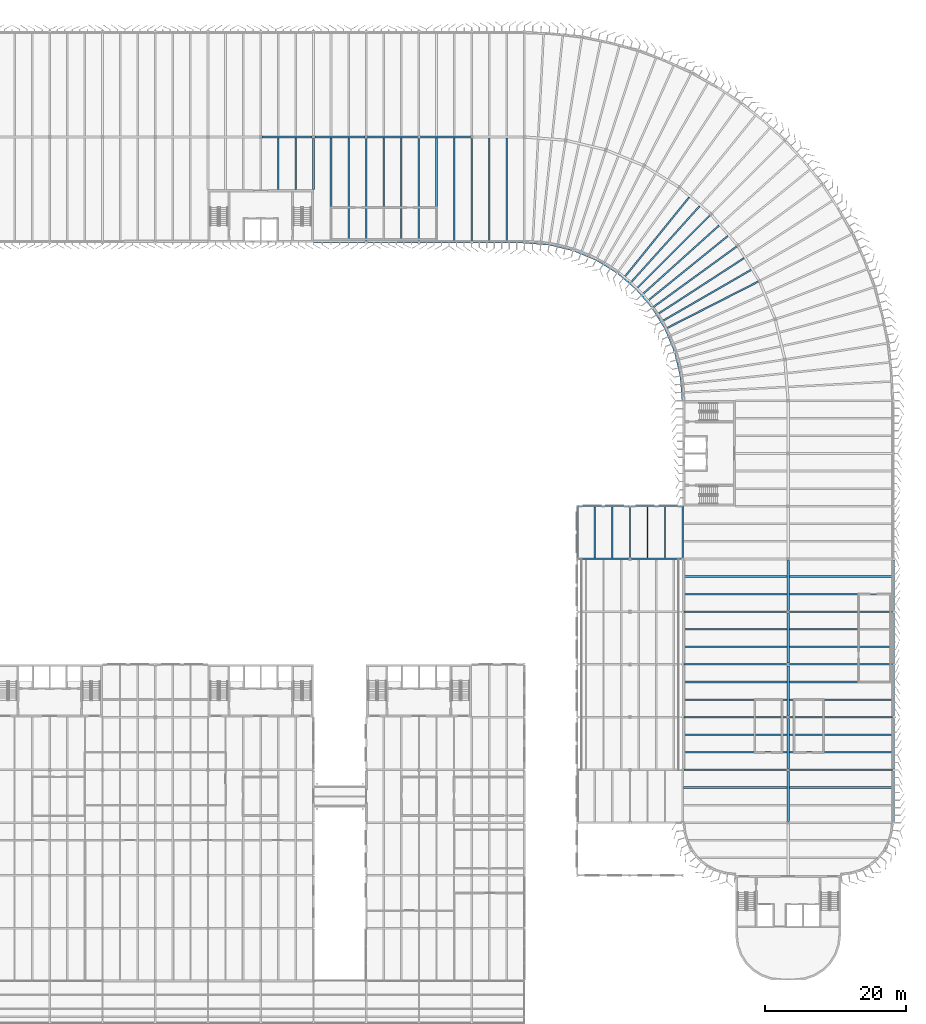
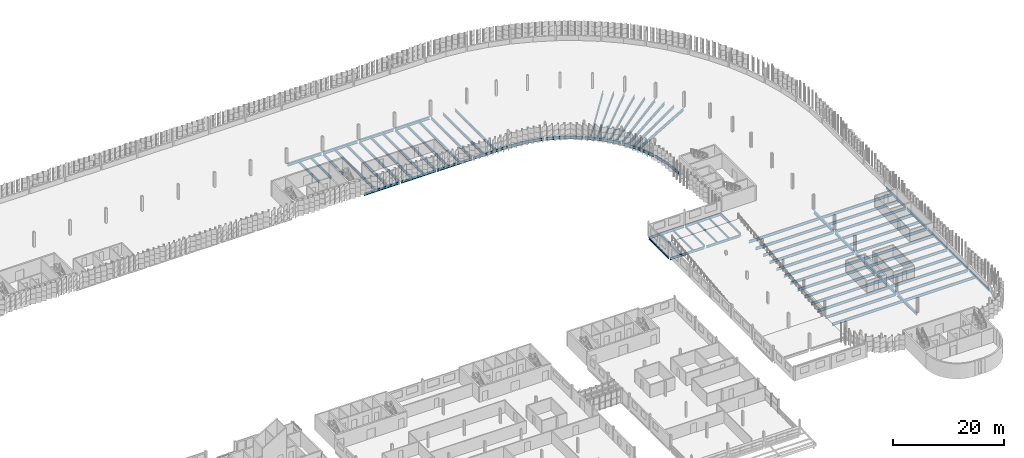
# One storey, part 53 of 214: 88 beams.
"""IFC4 building model written with IfcOpenShell, lengths in metres."""

from ifc_helpers import new_model, si_unit, direction, frame, origin, origin_2d, place, context, subcontext, project, spatial, i_section, extrude, material, material_profile, profile_set, type_object, element, save


model = new_model("IFC4")

# Units and contexts
model_context = context("Model", 3, precision=1e-05, world=origin(), true_north=direction((0.0, 1.0)))
body_context = subcontext(model_context, "Body", "Model", "MODEL_VIEW")
ifc_project = project(units=[si_unit("LENGTHUNIT", "METRE"), si_unit("AREAUNIT", "SQUARE_METRE"), si_unit("VOLUMEUNIT", "CUBIC_METRE"), si_unit("PLANEANGLEUNIT", "RADIAN"), si_unit("MASSUNIT", "GRAM", prefix="KILO")], contexts=[model_context])

# Site, building, storey
site_placement = place(None, origin())
site = spatial("IfcSite", under=ifc_project, at=site_placement, CompositionType="ELEMENT")
building_placement = place(site_placement, origin())
building = spatial("IfcBuilding", under=site, at=building_placement, Name="Parallax Yard Mobility Hub", CompositionType="ELEMENT")
storey_placement = place(building_placement, frame((0.0, 0.0, 3.300048828125)))
storey = spatial("IfcBuildingStorey", under=building, at=storey_placement, Name="L01", CompositionType="ELEMENT", Elevation=3.300048828125)

# Beams
ifc_material = material(Name="Steel ASTM A992", Category="steel")
ifc_material_profile_1 = material_profile(ifc_material, i_section(OverallWidth=0.177978515625, OverallDepth=0.406005859375, WebThickness=0.0078125, FlangeThickness=0.0126953125, FilletRadius=0.01025390625, at=origin_2d()), Name="W410x60")
ifc_profile_set_1 = profile_set([ifc_material_profile_1], Name="Steel ASTM A992")
beam_type_1 = type_object("IfcBeamType", Name="W410x60 edge beam", PredefinedType="SPANDREL", material=ifc_profile_set_1)
beam_1_placement = place(storey_placement, frame((180.0, 67.653564453125, -0.343017578125), z_axis=(0.0, 1.0, 0.0), x_axis=(-1.0, 0.0, 0.0)))
element("IfcBeam", 1, at=beam_1_placement, inside=storey, type_object=beam_type_1, Name="Edge beam SB1 level L01, line 25 of ramp house, span 2", PredefinedType="SPANDREL", context=body_context, shape_type="SweptSolid", body=[
    extrude(i_section(OverallWidth=0.177978515625, OverallDepth=0.406005859375, WebThickness=0.0078125, FlangeThickness=0.0126953125, FilletRadius=0.01025390625, at=origin_2d()), origin(), (0.0, 0.0, 1.0), 7.19287109375),
])
ifc_material_profile_2 = material_profile(ifc_material, i_section(OverallWidth=0.177978515625, OverallDepth=0.406005859375, WebThickness=0.0078125, FlangeThickness=0.0126953125, FilletRadius=0.01025390625, at=origin_2d()), Name="W410x60")
ifc_profile_set_2 = profile_set([ifc_material_profile_2], Name="Steel ASTM A992")
beam_type_2 = type_object("IfcBeamType", Name="W410x60 longitudinal beam", PredefinedType="BEAM", material=ifc_profile_set_2)
beam_2_placement = place(storey_placement, frame((187.5, 67.68798828125, -0.343017578125), z_axis=(0.0, 1.0, 0.0), x_axis=(-1.0, 0.0, 0.0)))
element("IfcBeam", 2, at=beam_2_placement, inside=storey, type_object=beam_type_2, Name="Longitudinal beam SB2 level L01, line 26 of ramp house, span 2", PredefinedType="BEAM", context=body_context, shape_type="SweptSolid", body=[
    extrude(i_section(OverallWidth=0.177978515625, OverallDepth=0.406005859375, WebThickness=0.0078125, FlangeThickness=0.0126953125, FilletRadius=0.01025390625, at=origin_2d()), origin(), (0.0, 0.0, 1.0), 7.156005859375),
])
ifc_material_profile_3 = material_profile(ifc_material, i_section(OverallWidth=0.177978515625, OverallDepth=0.406005859375, WebThickness=0.0078125, FlangeThickness=0.0126953125, FilletRadius=0.01025390625, at=origin_2d()), Name="W410x60")
ifc_profile_set_3 = profile_set([ifc_material_profile_3], Name="Steel ASTM A992")
beam_type_3 = type_object("IfcBeamType", Name="W410x60 secondary beam", PredefinedType="JOIST", material=ifc_profile_set_3)
for number, where, z_axis, x_axis, name in (
    (3, (182.5, 67.6044921875, -0.343017578125), (0.0, 1.0, 0.0), (-1.0, 0.0, 0.0), "Secondary beam B1 level L01, 2.5 m east of line 25 of ramp house, span 2"),
    (4, (190.0, 67.6044921875, -0.343017578125), (0.0, 1.0, 0.0), (-1.0, 0.0, 0.0), "Secondary beam B1 level L01, 2.5 m east of line 26 of ramp house, span 2"),
    (5, (185.0, 67.6044921875, -0.343017578125), (0.0, 1.0, 0.0), (-1.0, 0.0, 0.0), "Secondary beam B1 level L01, 5 m east of line 25 of ramp house, span 2"),
    (6, (192.5, 67.6044921875, -0.343017578125), (0.0, 1.0, 0.0), (-1.0, 0.0, 0.0), "Secondary beam B1 level L01, 5 m east of line 26 of ramp house, span 2"),
):
    element("IfcBeam", number, at=place(storey_placement, frame(where, z_axis=z_axis, x_axis=x_axis)), inside=storey, type_object=beam_type_3, Name=name, PredefinedType="JOIST", context=body_context, shape_type="SweptSolid", body=[
        extrude(i_section(OverallWidth=0.177978515625, OverallDepth=0.406005859375, WebThickness=0.0078125, FlangeThickness=0.0126953125, FilletRadius=0.01025390625, at=origin_2d()), origin(), (0.0, 0.0, 1.0), 7.291015625),
    ])
ifc_material_profile_4 = material_profile(ifc_material, i_section(OverallWidth=0.208984375, OverallDepth=0.532958984375, WebThickness=0.01025390625, FlangeThickness=0.015625, FilletRadius=0.0126953125, at=origin_2d()), Name="W530x92")
ifc_profile_set_4 = profile_set([ifc_material_profile_4], Name="Steel ASTM A992")
beam_type_4 = type_object("IfcBeamType", Name="W530x92 edge beam", PredefinedType="SPANDREL", material=ifc_profile_set_4)
beam_3_placement = place(storey_placement, frame((195.0, 67.697021484375, -0.406494140625), z_axis=(0.0, 1.0, 0.0), x_axis=(-1.0, 0.0, 0.0)))
element("IfcBeam", 7, at=beam_3_placement, inside=storey, type_object=beam_type_4, Name="Edge beam SB5 level L01, line 27 of ramped parking decks, span 6", PredefinedType="SPANDREL", context=body_context, shape_type="SweptSolid", body=[
    extrude(i_section(OverallWidth=0.208984375, OverallDepth=0.532958984375, WebThickness=0.01025390625, FlangeThickness=0.015625, FilletRadius=0.0126953125, at=origin_2d()), origin(), (0.0, 0.0, 1.0), 7.302978515625),
])
beam_4_placement = place(storey_placement, frame((225.0, 30.155029296875, -0.406494140625), z_axis=(0.0, 1.0, 0.0), x_axis=(-1.0, 0.0, 0.0)))
element("IfcBeam", 8, at=beam_4_placement, inside=storey, type_object=beam_type_4, Name="Edge beam SB5 level L01, line 31 of ramped parking decks, span 1", PredefinedType="SPANDREL", context=body_context, shape_type="SweptSolid", body=[
    extrude(i_section(OverallWidth=0.208984375, OverallDepth=0.532958984375, WebThickness=0.01025390625, FlangeThickness=0.015625, FilletRadius=0.0126953125, at=origin_2d()), origin(), (0.0, 0.0, 1.0), 7.19140625),
])
for number, where, z_axis, x_axis, name in (
    (9, (225.0, 37.653564453125, -0.406494140625), (0.0, 1.0, 0.0), (-1.0, 0.0, 0.0), "Edge beam SB5 level L01, line 31 of ramped parking decks, span 2"),
    (10, (225.0, 45.153564453125, -0.406494140625), (0.0, 1.0, 0.0), (-1.0, 0.0, 0.0), "Edge beam SB5 level L01, line 31 of ramped parking decks, span 3"),
    (11, (225.0, 52.653564453125, -0.406494140625), (0.0, 1.0, 0.0), (-1.0, 0.0, 0.0), "Edge beam SB5 level L01, line 31 of ramped parking decks, span 4"),
    (12, (225.0, 60.153564453125, -0.406494140625), (0.0, 1.0, 0.0), (-1.0, 0.0, 0.0), "Edge beam SB5 level L01, line 31 of ramped parking decks, span 5"),
):
    element("IfcBeam", number, at=place(storey_placement, frame(where, z_axis=z_axis, x_axis=x_axis)), inside=storey, type_object=beam_type_4, Name=name, PredefinedType="SPANDREL", context=body_context, shape_type="SweptSolid", body=[
        extrude(i_section(OverallWidth=0.208984375, OverallDepth=0.532958984375, WebThickness=0.01025390625, FlangeThickness=0.015625, FilletRadius=0.0126953125, at=origin_2d()), origin(), (0.0, 0.0, 1.0), 7.19287109375),
    ])
beam_5_placement = place(storey_placement, frame((142.5, 112.5, -0.406494140625), z_axis=(1.0, 0.0, 0.0), x_axis=(0.0, 1.0, 0.0)))
element("IfcBeam", 13, at=beam_5_placement, inside=storey, type_object=beam_type_4, Name="Edge beam SB5 level L01, line R of ramped parking decks, span 12", PredefinedType="SPANDREL", context=body_context, shape_type="SweptSolid", body=[
    extrude(i_section(OverallWidth=0.208984375, OverallDepth=0.532958984375, WebThickness=0.01025390625, FlangeThickness=0.015625, FilletRadius=0.0126953125, at=origin_2d()), origin(), (0.0, 0.0, 1.0), 7.302978515625),
])
beam_6_placement = place(storey_placement, frame((150.197021484375, 112.5, -0.406494140625), z_axis=(1.0, 0.0, 0.0), x_axis=(0.0, 1.0, 0.0)))
element("IfcBeam", 14, at=beam_6_placement, inside=storey, type_object=beam_type_4, Name="Edge beam SB5 level L01, line R of ramped parking decks, span 13", PredefinedType="SPANDREL", context=body_context, shape_type="SweptSolid", body=[
    extrude(i_section(OverallWidth=0.208984375, OverallDepth=0.532958984375, WebThickness=0.01025390625, FlangeThickness=0.015625, FilletRadius=0.0126953125, at=origin_2d()), origin(), (0.0, 0.0, 1.0), 7.1494140625),
])
for number, where, z_axis, x_axis, name in (
    (15, (157.653564453125, 112.5, -0.406494140625), (1.0, 0.0, 0.0), (0.0, 1.0, 0.0), "Edge beam SB5 level L01, line R of ramped parking decks, span 14"),
    (16, (165.153564453125, 112.5, -0.406494140625), (1.0, 0.0, 0.0), (0.0, 1.0, 0.0), "Edge beam SB5 level L01, line R of ramped parking decks, span 15"),
):
    element("IfcBeam", number, at=place(storey_placement, frame(where, z_axis=z_axis, x_axis=x_axis)), inside=storey, type_object=beam_type_4, Name=name, PredefinedType="SPANDREL", context=body_context, shape_type="SweptSolid", body=[
        extrude(i_section(OverallWidth=0.208984375, OverallDepth=0.532958984375, WebThickness=0.01025390625, FlangeThickness=0.015625, FilletRadius=0.0126953125, at=origin_2d()), origin(), (0.0, 0.0, 1.0), 7.19287109375),
    ])
ifc_material_profile_5 = material_profile(ifc_material, i_section(OverallWidth=0.208984375, OverallDepth=0.532958984375, WebThickness=0.01025390625, FlangeThickness=0.015625, FilletRadius=0.0126953125, at=origin_2d()), Name="W530x92")
ifc_profile_set_5 = profile_set([ifc_material_profile_5], Name="Steel ASTM A992")
beam_type_5 = type_object("IfcBeamType", Name="W530x92 girder", PredefinedType="BEAM", material=ifc_profile_set_5)
beam_7_placement = place(storey_placement, frame((180.152587890625, 67.5, -0.47802734375), z_axis=(1.0, 0.0, 0.0), x_axis=(0.0, 1.0, 0.0)))
element("IfcBeam", 17, at=beam_7_placement, inside=storey, type_object=beam_type_5, Name="Girder G2 level L01, line K of ramp house, span 1", PredefinedType="BEAM", context=body_context, shape_type="SweptSolid", body=[
    extrude(i_section(OverallWidth=0.208984375, OverallDepth=0.532958984375, WebThickness=0.01025390625, FlangeThickness=0.015625, FilletRadius=0.0126953125, at=origin_2d()), origin(), (0.0, 0.0, 1.0), 7.150390625),
])
beam_8_placement = place(storey_placement, frame((187.697021484375, 67.5, -0.47802734375), z_axis=(1.0, 0.0, 0.0), x_axis=(0.0, 1.0, 0.0)))
element("IfcBeam", 18, at=beam_8_placement, inside=storey, type_object=beam_type_5, Name="Girder G2 level L01, line K of ramp house, span 2", PredefinedType="BEAM", context=body_context, shape_type="SweptSolid", body=[
    extrude(i_section(OverallWidth=0.208984375, OverallDepth=0.532958984375, WebThickness=0.01025390625, FlangeThickness=0.015625, FilletRadius=0.0126953125, at=origin_2d()), origin(), (0.0, 0.0, 1.0), 7.114990234375),
])
beam_9_placement = place(storey_placement, frame((180.152587890625, 75.0, -0.406494140625), z_axis=(1.0, 0.0, 0.0), x_axis=(0.0, 1.0, 0.0)))
element("IfcBeam", 19, at=beam_9_placement, inside=storey, type_object=beam_type_5, Name="Girder G2 level L01, line L of ramp house, span 1", PredefinedType="BEAM", context=body_context, shape_type="SweptSolid", body=[
    extrude(i_section(OverallWidth=0.208984375, OverallDepth=0.532958984375, WebThickness=0.01025390625, FlangeThickness=0.015625, FilletRadius=0.0126953125, at=origin_2d()), origin(), (0.0, 0.0, 1.0), 7.19482421875),
])
beam_10_placement = place(storey_placement, frame((187.652587890625, 75.0, -0.406494140625), z_axis=(1.0, 0.0, 0.0), x_axis=(0.0, 1.0, 0.0)))
element("IfcBeam", 20, at=beam_10_placement, inside=storey, type_object=beam_type_5, Name="Girder G2 level L01, line L of ramp house, span 2", PredefinedType="BEAM", context=body_context, shape_type="SweptSolid", body=[
    extrude(i_section(OverallWidth=0.208984375, OverallDepth=0.532958984375, WebThickness=0.01025390625, FlangeThickness=0.015625, FilletRadius=0.0126953125, at=origin_2d()), origin(), (0.0, 0.0, 1.0), 7.347412109375),
])
ifc_material_profile_6 = material_profile(ifc_material, i_section(OverallWidth=0.22802734375, OverallDepth=0.60205078125, WebThickness=0.010498046875, FlangeThickness=0.014892578125, FilletRadius=0.0126953125, at=origin_2d()), Name="W610x101")
ifc_profile_set_6 = profile_set([ifc_material_profile_6], Name="Steel ASTM A992")
beam_type_6 = type_object("IfcBeamType", Name="W610x101 secondary beam", PredefinedType="JOIST", material=ifc_profile_set_6)
beam_11_placement = place(storey_placement, frame((137.5, 120.0, -0.441162109375), z_axis=(0.0, 1.0, 0.0), x_axis=(-1.0, 0.0, 0.0)))
element("IfcBeam", 21, at=beam_11_placement, inside=storey, type_object=beam_type_6, Name="Secondary beam B3 level L01, 2.5 m east of line 19 of ramped parking decks, span 1", PredefinedType="JOIST", context=body_context, shape_type="SweptSolid", body=[
    extrude(i_section(OverallWidth=0.22802734375, OverallDepth=0.60205078125, WebThickness=0.010498046875, FlangeThickness=0.014892578125, FilletRadius=0.0126953125, at=origin_2d()), origin(), (0.0, 0.0, 1.0), 7.33740234375),
])
for number, where, z_axis, x_axis, name in (
    (22, (145.0, 112.6044921875, -0.441162109375), (0.0, 1.0, 0.0), (-1.0, 0.0, 0.0), "Secondary beam B3 level L01, 2.5 m east of line 20 of ramped parking decks, span 1"),
    (23, (152.5, 112.6044921875, -0.441162109375), (0.0, 1.0, 0.0), (-1.0, 0.0, 0.0), "Secondary beam B3 level L01, 2.5 m east of line 21 of ramped parking decks, span 1"),
    (24, (160.0, 112.6044921875, -0.441162109375), (0.0, 1.0, 0.0), (-1.0, 0.0, 0.0), "Secondary beam B3 level L01, 2.5 m east of line 22 of ramped parking decks, span 1"),
    (25, (167.5, 112.6044921875, -0.441162109375), (0.0, 1.0, 0.0), (-1.0, 0.0, 0.0), "Secondary beam B3 level L01, 2.5 m east of line 23 of ramped parking decks, span 1"),
    (26, (195.1044921875, 40.0, -0.441162109375), (1.0, 0.0, 0.0), (0.0, 1.0, 0.0), "Secondary beam B3 level L01, 2.5 m north of line F of ramped parking decks, span 1"),
    (27, (210.16259765625, 40.0, -0.441162109375), (1.0, 0.0, 0.0), (0.0, 1.0, 0.0), "Secondary beam B3 level L01, 2.5 m north of line F of ramped parking decks, span 2"),
    (28, (195.1044921875, 47.5, -0.441162109375), (1.0, 0.0, 0.0), (0.0, 1.0, 0.0), "Secondary beam B3 level L01, 2.5 m north of line G of ramped parking decks, span 1"),
    (29, (210.16259765625, 47.5, -0.441162109375), (1.0, 0.0, 0.0), (0.0, 1.0, 0.0), "Secondary beam B3 level L01, 2.5 m north of line G of ramped parking decks, span 2"),
    (30, (195.1044921875, 55.0, -0.441162109375), (1.0, 0.0, 0.0), (0.0, 1.0, 0.0), "Secondary beam B3 level L01, 2.5 m north of line H of ramped parking decks, span 1"),
    (31, (210.16259765625, 55.0, -0.441162109375), (1.0, 0.0, 0.0), (0.0, 1.0, 0.0), "Secondary beam B3 level L01, 2.5 m north of line H of ramped parking decks, span 2"),
    (32, (195.1044921875, 62.5, -0.441162109375), (1.0, 0.0, 0.0), (0.0, 1.0, 0.0), "Secondary beam B3 level L01, 2.5 m north of line J of ramped parking decks, span 1"),
    (33, (210.16259765625, 62.5, -0.441162109375), (1.0, 0.0, 0.0), (0.0, 1.0, 0.0), "Secondary beam B3 level L01, 2.5 m north of line J of ramped parking decks, span 2"),
):
    element("IfcBeam", number, at=place(storey_placement, frame(where, z_axis=z_axis, x_axis=x_axis)), inside=storey, type_object=beam_type_6, Name=name, PredefinedType="JOIST", context=body_context, shape_type="SweptSolid", body=[
        extrude(i_section(OverallWidth=0.22802734375, OverallDepth=0.60205078125, WebThickness=0.010498046875, FlangeThickness=0.014892578125, FilletRadius=0.0126953125, at=origin_2d()), origin(), (0.0, 0.0, 1.0), 14.73291015625),
    ])
beam_12_placement = place(storey_placement, frame((140.0, 120.0, -0.441162109375), z_axis=(0.0, 1.0, 0.0), x_axis=(-1.0, 0.0, 0.0)))
element("IfcBeam", 34, at=beam_12_placement, inside=storey, type_object=beam_type_6, Name="Secondary beam B3 level L01, 5 m east of line 19 of ramped parking decks, span 1", PredefinedType="JOIST", context=body_context, shape_type="SweptSolid", body=[
    extrude(i_section(OverallWidth=0.22802734375, OverallDepth=0.60205078125, WebThickness=0.010498046875, FlangeThickness=0.014892578125, FilletRadius=0.0126953125, at=origin_2d()), origin(), (0.0, 0.0, 1.0), 7.33740234375),
])
for number, where, z_axis, x_axis, name in (
    (35, (147.5, 112.6044921875, -0.441162109375), (0.0, 1.0, 0.0), (-1.0, 0.0, 0.0), "Secondary beam B3 level L01, 5 m east of line 20 of ramped parking decks, span 1"),
    (36, (155.0, 112.6044921875, -0.441162109375), (0.0, 1.0, 0.0), (-1.0, 0.0, 0.0), "Secondary beam B3 level L01, 5 m east of line 21 of ramped parking decks, span 1"),
    (37, (162.5, 112.6044921875, -0.441162109375), (0.0, 1.0, 0.0), (-1.0, 0.0, 0.0), "Secondary beam B3 level L01, 5 m east of line 22 of ramped parking decks, span 1"),
    (38, (170.0, 112.6044921875, -0.441162109375), (0.0, 1.0, 0.0), (-1.0, 0.0, 0.0), "Secondary beam B3 level L01, 5 m east of line 23 of ramped parking decks, span 1"),
    (39, (195.1044921875, 35.0, -0.441162109375), (1.0, 0.0, 0.0), (0.0, 1.0, 0.0), "Secondary beam B3 level L01, 5 m north of line E of ramped parking decks, span 1"),
    (40, (210.16259765625, 35.0, -0.441162109375), (1.0, 0.0, 0.0), (0.0, 1.0, 0.0), "Secondary beam B3 level L01, 5 m north of line E of ramped parking decks, span 2"),
    (41, (195.1044921875, 42.5, -0.441162109375), (1.0, 0.0, 0.0), (0.0, 1.0, 0.0), "Secondary beam B3 level L01, 5 m north of line F of ramped parking decks, span 1"),
    (42, (210.16259765625, 42.5, -0.441162109375), (1.0, 0.0, 0.0), (0.0, 1.0, 0.0), "Secondary beam B3 level L01, 5 m north of line F of ramped parking decks, span 2"),
    (43, (195.1044921875, 50.0, -0.441162109375), (1.0, 0.0, 0.0), (0.0, 1.0, 0.0), "Secondary beam B3 level L01, 5 m north of line G of ramped parking decks, span 1"),
    (44, (210.16259765625, 50.0, -0.441162109375), (1.0, 0.0, 0.0), (0.0, 1.0, 0.0), "Secondary beam B3 level L01, 5 m north of line G of ramped parking decks, span 2"),
    (45, (195.1044921875, 57.5, -0.441162109375), (1.0, 0.0, 0.0), (0.0, 1.0, 0.0), "Secondary beam B3 level L01, 5 m north of line H of ramped parking decks, span 1"),
    (46, (210.16259765625, 57.5, -0.441162109375), (1.0, 0.0, 0.0), (0.0, 1.0, 0.0), "Secondary beam B3 level L01, 5 m north of line H of ramped parking decks, span 2"),
    (47, (195.1044921875, 65.0, -0.441162109375), (1.0, 0.0, 0.0), (0.0, 1.0, 0.0), "Secondary beam B3 level L01, 5 m north of line J of ramped parking decks, span 1"),
    (48, (210.16259765625, 65.0, -0.441162109375), (1.0, 0.0, 0.0), (0.0, 1.0, 0.0), "Secondary beam B3 level L01, 5 m north of line J of ramped parking decks, span 2"),
):
    element("IfcBeam", number, at=place(storey_placement, frame(where, z_axis=z_axis, x_axis=x_axis)), inside=storey, type_object=beam_type_6, Name=name, PredefinedType="JOIST", context=body_context, shape_type="SweptSolid", body=[
        extrude(i_section(OverallWidth=0.22802734375, OverallDepth=0.60205078125, WebThickness=0.010498046875, FlangeThickness=0.014892578125, FilletRadius=0.0126953125, at=origin_2d()), origin(), (0.0, 0.0, 1.0), 14.73291015625),
    ])
beam_13_placement = place(storey_placement, frame((186.693115234375, 107.52685546875, -0.441162109375), z_axis=(0.629317812071, 0.777148049865, 0.0), x_axis=(-0.777148049865, 0.629317812071, 0.0)))
element("IfcBeam", 49, at=beam_13_placement, inside=storey, type_object=beam_type_6, Name="Secondary beam B3 level L01, radial at 39 degrees of ramped parking decks, span 1", PredefinedType="JOIST", context=body_context, shape_type="SweptSolid", body=[
    extrude(i_section(OverallWidth=0.22802734375, OverallDepth=0.60205078125, WebThickness=0.010498046875, FlangeThickness=0.014892578125, FilletRadius=0.0126953125, at=origin_2d()), origin(), (0.0, 0.0, 1.0), 14.681884765625),
])
for number, where, z_axis, x_axis, name in (
    (50, (187.5908203125, 106.760009765625, -0.441162109375), (0.669130085287, 0.743145294652, 0.0), (-0.743145294652, 0.669130085287, 0.0), "Secondary beam B3 level L01, radial at 42 degrees of ramped parking decks, span 1"),
    (51, (189.260009765625, 105.0908203125, -0.441162109375), (0.743145294652, 0.669130085287, 0.0), (-0.669130085287, 0.743145294652, 0.0), "Secondary beam B3 level L01, radial at 48 degrees of ramped parking decks, span 1"),
):
    element("IfcBeam", number, at=place(storey_placement, frame(where, z_axis=z_axis, x_axis=x_axis)), inside=storey, type_object=beam_type_6, Name=name, PredefinedType="JOIST", context=body_context, shape_type="SweptSolid", body=[
        extrude(i_section(OverallWidth=0.22802734375, OverallDepth=0.60205078125, WebThickness=0.010498046875, FlangeThickness=0.014892578125, FilletRadius=0.0126953125, at=origin_2d()), origin(), (0.0, 0.0, 1.0), 14.681640625),
    ])
beam_14_placement = place(storey_placement, frame((190.02685546875, 104.193115234375, -0.441162109375), z_axis=(0.777148049865, 0.629317812071, 0.0), x_axis=(-0.629317812071, 0.777148049865, 0.0)))
element("IfcBeam", 52, at=beam_14_placement, inside=storey, type_object=beam_type_6, Name="Secondary beam B3 level L01, radial at 51 degrees of ramped parking decks, span 1", PredefinedType="JOIST", context=body_context, shape_type="SweptSolid", body=[
    extrude(i_section(OverallWidth=0.22802734375, OverallDepth=0.60205078125, WebThickness=0.010498046875, FlangeThickness=0.014892578125, FilletRadius=0.0126953125, at=origin_2d()), origin(), (0.0, 0.0, 1.0), 14.681884765625),
])
beam_15_placement = place(storey_placement, frame((191.414306640625, 102.283203125, -0.441162109375), z_axis=(0.838677190978, 0.544628836303, 0.0), x_axis=(-0.544628836303, 0.838677190978, 0.0)))
element("IfcBeam", 53, at=beam_15_placement, inside=storey, type_object=beam_type_6, Name="Secondary beam B3 level L01, radial at 57 degrees of ramped parking decks, span 1", PredefinedType="JOIST", context=body_context, shape_type="SweptSolid", body=[
    extrude(i_section(OverallWidth=0.22802734375, OverallDepth=0.60205078125, WebThickness=0.010498046875, FlangeThickness=0.014892578125, FilletRadius=0.0126953125, at=origin_2d()), origin(), (0.0, 0.0, 1.0), 14.681640625),
])
beam_16_placement = place(storey_placement, frame((192.03125, 101.2763671875, -0.441162109375), z_axis=(0.866028298505, 0.499994986164, 0.0), x_axis=(-0.499994986164, 0.866028298505, 0.0)))
element("IfcBeam", 54, at=beam_16_placement, inside=storey, type_object=beam_type_6, Name="Secondary beam B3 level L01, radial at 60 degrees of ramped parking decks, span 1", PredefinedType="JOIST", context=body_context, shape_type="SweptSolid", body=[
    extrude(i_section(OverallWidth=0.22802734375, OverallDepth=0.60205078125, WebThickness=0.010498046875, FlangeThickness=0.014892578125, FilletRadius=0.0126953125, at=origin_2d()), origin(), (0.0, 0.0, 1.0), 14.681884765625),
])
ifc_material_profile_7 = material_profile(ifc_material, i_section(OverallWidth=0.22900390625, OverallDepth=0.612060546875, WebThickness=0.011962890625, FlangeThickness=0.01953125, FilletRadius=0.0126953125, at=origin_2d()), Name="W610x125")
ifc_profile_set_7 = profile_set([ifc_material_profile_7], Name="Steel ASTM A992")
beam_type_7 = type_object("IfcBeamType", Name="W610x125 edge beam", PredefinedType="SPANDREL", material=ifc_profile_set_7)
for number, where, z_axis, x_axis, name in (
    (55, (172.653564453125, 112.48779296875, -0.446044921875), (0.996918120535, -0.078449097823, 0.0), (0.078449097823, 0.996918120535, 0.0), "Edge beam SB7 level L01, ring RA of ramped parking decks, span 1"),
    (56, (176.019775390625, 112.222900390625, -0.446044921875), (0.972383364088, -0.23338935975, 0.0), (0.23338935975, 0.972383364088, 0.0), "Edge beam SB7 level L01, ring RA of ramped parking decks, span 2"),
    (57, (179.59521484375, 111.33984375, -0.446044921875), (0.923874954181, -0.382694485246, 0.0), (0.382694485246, 0.923874954181, 0.0), "Edge beam SB7 level L01, ring RA of ramped parking decks, span 3"),
    (58, (182.71484375, 110.047607421875, -0.446044921875), (0.852632424062, -0.522511195514, 0.0), (0.522511195514, 0.852632424062, 0.0), "Edge beam SB7 level L01, ring RA of ramped parking decks, span 4"),
    (59, (185.84228515625, 108.102783203125, -0.446044921875), (0.760419054456, -0.649432722936, 0.0), (0.649432722936, 0.760419054456, 0.0), "Edge beam SB7 level L01, ring RA of ramped parking decks, span 5"),
    (60, (188.409912109375, 105.909912109375, -0.446044921875), (0.649432722936, -0.760419054456, 0.0), (0.760419054456, 0.649432722936, 0.0), "Edge beam SB7 level L01, ring RA of ramped parking decks, span 6"),
    (61, (190.783203125, 103.093994140625, -0.446044921875), (0.522511195514, -0.852632424062, 0.0), (0.852632424062, 0.522511195514, 0.0), "Edge beam SB7 level L01, ring RA of ramped parking decks, span 7"),
):
    element("IfcBeam", number, at=place(storey_placement, frame(where, z_axis=z_axis, x_axis=x_axis)), inside=storey, type_object=beam_type_7, Name=name, PredefinedType="SPANDREL", context=body_context, shape_type="SweptSolid", body=[
        extrude(i_section(OverallWidth=0.22900390625, OverallDepth=0.612060546875, WebThickness=0.011962890625, FlangeThickness=0.01953125, FilletRadius=0.0126953125, at=origin_2d()), origin(), (0.0, 0.0, 1.0), 3.376708984375),
    ])
for number, where, z_axis, x_axis, name in (
    (62, (192.547607421875, 100.21484375, -0.446044921875), (0.382694764225, -0.92387483862, 0.0), (0.92387483862, 0.382694764225, 0.0), "Edge beam SB7 level L01, ring RA of ramped parking decks, span 8"),
    (63, (193.9453125, 96.759765625, -0.446044921875), (0.233370181232, -0.972387967075, 0.0), (0.972387967075, 0.233370181232, 0.0), "Edge beam SB7 level L01, ring RA of ramped parking decks, span 9"),
):
    element("IfcBeam", number, at=place(storey_placement, frame(where, z_axis=z_axis, x_axis=x_axis)), inside=storey, type_object=beam_type_7, Name=name, PredefinedType="SPANDREL", context=body_context, shape_type="SweptSolid", body=[
        extrude(i_section(OverallWidth=0.22900390625, OverallDepth=0.612060546875, WebThickness=0.011962890625, FlangeThickness=0.01953125, FilletRadius=0.0126953125, at=origin_2d()), origin(), (0.0, 0.0, 1.0), 3.33203125),
    ])
beam_17_placement = place(storey_placement, frame((194.722900390625, 93.519775390625, -0.446044921875), z_axis=(0.078483663652, -0.996915399891, 0.0), x_axis=(0.996915399891, 0.078483663652, 0.0)))
element("IfcBeam", 64, at=beam_17_placement, inside=storey, type_object=beam_type_7, Name="Edge beam SB7 level L01, ring RA of ramped parking decks, span 10", PredefinedType="SPANDREL", context=body_context, shape_type="SweptSolid", body=[
    extrude(i_section(OverallWidth=0.22900390625, OverallDepth=0.612060546875, WebThickness=0.011962890625, FlangeThickness=0.01953125, FilletRadius=0.0126953125, at=origin_2d()), origin(), (0.0, 0.0, 1.0), 3.53076171875),
])
ifc_material_profile_8 = material_profile(ifc_material, i_section(OverallWidth=0.22900390625, OverallDepth=0.612060546875, WebThickness=0.011962890625, FlangeThickness=0.01953125, FilletRadius=0.0126953125, at=origin_2d()), Name="W610x125")
ifc_profile_set_8 = profile_set([ifc_material_profile_8], Name="Steel ASTM A992")
beam_type_8 = type_object("IfcBeamType", Name="W610x125 girder", PredefinedType="BEAM", material=ifc_profile_set_8)
beam_18_placement = place(storey_placement, frame((142.5, 120.0, -0.446044921875), z_axis=(0.0, 1.0, 0.0), x_axis=(-1.0, 0.0, 0.0)))
element("IfcBeam", 65, at=beam_18_placement, inside=storey, type_object=beam_type_8, Name="Girder G3 level L01, line 20 of ramped parking decks, span 1", PredefinedType="BEAM", context=body_context, shape_type="SweptSolid", body=[
    extrude(i_section(OverallWidth=0.22900390625, OverallDepth=0.612060546875, WebThickness=0.011962890625, FlangeThickness=0.01953125, FilletRadius=0.0126953125, at=origin_2d()), origin(), (0.0, 0.0, 1.0), 7.3095703125),
])
beam_19_placement = place(storey_placement, frame((150.0, 112.68798828125, -0.446044921875), z_axis=(0.0, 1.0, 0.0), x_axis=(-1.0, 0.0, 0.0)))
element("IfcBeam", 66, at=beam_19_placement, inside=storey, type_object=beam_type_8, Name="Girder G3 level L01, line 21 of ramped parking decks, span 1", PredefinedType="BEAM", context=body_context, shape_type="SweptSolid", body=[
    extrude(i_section(OverallWidth=0.22900390625, OverallDepth=0.612060546875, WebThickness=0.011962890625, FlangeThickness=0.01953125, FilletRadius=0.0126953125, at=origin_2d()), origin(), (0.0, 0.0, 1.0), 14.62158203125),
])
for number, where, z_axis, x_axis, name in (
    (67, (157.5, 112.658935546875, -0.446044921875), (0.0, 1.0, 0.0), (-1.0, 0.0, 0.0), "Girder G3 level L01, line 22 of ramped parking decks, span 1"),
    (68, (165.0, 112.658935546875, -0.446044921875), (0.0, 1.0, 0.0), (-1.0, 0.0, 0.0), "Girder G3 level L01, line 23 of ramped parking decks, span 1"),
    (69, (195.158935546875, 37.5, -0.446044921875), (1.0, 0.0, 0.0), (0.0, 1.0, 0.0), "Girder G3 level L01, line F of ramped parking decks, span 1"),
    (70, (210.1904296875, 37.5, -0.446044921875), (1.0, 0.0, 0.0), (0.0, 1.0, 0.0), "Girder G3 level L01, line F of ramped parking decks, span 2"),
    (71, (195.158935546875, 45.0, -0.446044921875), (1.0, 0.0, 0.0), (0.0, 1.0, 0.0), "Girder G3 level L01, line G of ramped parking decks, span 1"),
    (72, (210.1904296875, 45.0, -0.446044921875), (1.0, 0.0, 0.0), (0.0, 1.0, 0.0), "Girder G3 level L01, line G of ramped parking decks, span 2"),
    (73, (195.158935546875, 52.5, -0.446044921875), (1.0, 0.0, 0.0), (0.0, 1.0, 0.0), "Girder G3 level L01, line H of ramped parking decks, span 1"),
    (74, (210.1904296875, 52.5, -0.446044921875), (1.0, 0.0, 0.0), (0.0, 1.0, 0.0), "Girder G3 level L01, line H of ramped parking decks, span 2"),
    (75, (195.158935546875, 60.0, -0.446044921875), (1.0, 0.0, 0.0), (0.0, 1.0, 0.0), "Girder G3 level L01, line J of ramped parking decks, span 1"),
    (76, (210.1904296875, 60.0, -0.446044921875), (1.0, 0.0, 0.0), (0.0, 1.0, 0.0), "Girder G3 level L01, line J of ramped parking decks, span 2"),
):
    element("IfcBeam", number, at=place(storey_placement, frame(where, z_axis=z_axis, x_axis=x_axis)), inside=storey, type_object=beam_type_8, Name=name, PredefinedType="BEAM", context=body_context, shape_type="SweptSolid", body=[
        extrude(i_section(OverallWidth=0.22900390625, OverallDepth=0.612060546875, WebThickness=0.011962890625, FlangeThickness=0.01953125, FilletRadius=0.0126953125, at=origin_2d()), origin(), (0.0, 0.0, 1.0), 14.650634765625),
    ])
beam_20_placement = place(storey_placement, frame((190.83154296875, 103.318603515625, -0.446044921875), z_axis=(0.809014076645, 0.587789268182, 0.0), x_axis=(-0.587789268182, 0.809014076645, 0.0)))
element("IfcBeam", 77, at=beam_20_placement, inside=storey, type_object=beam_type_8, Name="Girder G3 level L01, radial R6 of ramped parking decks, span 1", PredefinedType="BEAM", context=body_context, shape_type="SweptSolid", body=[
    extrude(i_section(OverallWidth=0.22900390625, OverallDepth=0.612060546875, WebThickness=0.011962890625, FlangeThickness=0.01953125, FilletRadius=0.0126953125, at=origin_2d()), origin(), (0.0, 0.0, 1.0), 14.654541015625),
])
beam_21_placement = place(storey_placement, frame((188.409912109375, 105.909912109375, -0.446044921875), z_axis=(0.707106781187, 0.707106781187, 0.0), x_axis=(-0.707106781187, 0.707106781187, 0.0)))
element("IfcBeam", 78, at=beam_21_placement, inside=storey, type_object=beam_type_8, Name="Girder G3 level L01, radial R5 of ramped parking decks, span 2", PredefinedType="BEAM", context=body_context, shape_type="SweptSolid", body=[
    extrude(i_section(OverallWidth=0.22900390625, OverallDepth=0.612060546875, WebThickness=0.011962890625, FlangeThickness=0.01953125, FilletRadius=0.0126953125, at=origin_2d()), origin(), (0.0, 0.0, 1.0), 14.813232421875),
])
beam_22_placement = place(storey_placement, frame((192.547607421875, 100.21484375, -0.446044921875), z_axis=(0.891009686682, 0.453984292942, 0.0), x_axis=(-0.453984292942, 0.891009686682, 0.0)))
element("IfcBeam", 79, at=beam_22_placement, inside=storey, type_object=beam_type_8, Name="Girder G3 level L01, radial R7 of ramped parking decks, span 2", PredefinedType="BEAM", context=body_context, shape_type="SweptSolid", body=[
    extrude(i_section(OverallWidth=0.22900390625, OverallDepth=0.612060546875, WebThickness=0.011962890625, FlangeThickness=0.01953125, FilletRadius=0.0126953125, at=origin_2d()), origin(), (0.0, 0.0, 1.0), 14.8134765625),
])
ifc_material_profile_9 = material_profile(ifc_material, i_section(OverallWidth=0.324951171875, OverallDepth=0.612060546875, WebThickness=0.0126953125, FlangeThickness=0.01904296875, FilletRadius=0.0126953125, at=origin_2d()), Name="W610x155")
ifc_profile_set_9 = profile_set([ifc_material_profile_9], Name="Steel ASTM A992")
beam_type_9 = type_object("IfcBeamType", Name="W610x155 longitudinal beam", PredefinedType="BEAM", material=ifc_profile_set_9)
for number, where, z_axis, x_axis, name in (
    (80, (210.0, 30.197998046875, -0.446044921875), (0.0, 1.0, 0.0), (-1.0, 0.0, 0.0), "Longitudinal beam SB8 level L01, line 29 of ramped parking decks, span 2"),
    (81, (210.0, 37.697998046875, -0.446044921875), (0.0, 1.0, 0.0), (-1.0, 0.0, 0.0), "Longitudinal beam SB8 level L01, line 29 of ramped parking decks, span 3"),
    (82, (210.0, 45.197998046875, -0.446044921875), (0.0, 1.0, 0.0), (-1.0, 0.0, 0.0), "Longitudinal beam SB8 level L01, line 29 of ramped parking decks, span 4"),
    (83, (210.0, 52.697998046875, -0.446044921875), (0.0, 1.0, 0.0), (-1.0, 0.0, 0.0), "Longitudinal beam SB8 level L01, line 29 of ramped parking decks, span 5"),
    (84, (210.0, 60.197998046875, -0.446044921875), (0.0, 1.0, 0.0), (-1.0, 0.0, 0.0), "Longitudinal beam SB8 level L01, line 29 of ramped parking decks, span 6"),
    (85, (135.197998046875, 127.5, -0.446044921875), (1.0, 0.0, 0.0), (0.0, 1.0, 0.0), "Longitudinal beam SB8 level L01, line T of ramped parking decks, span 15"),
    (86, (142.697998046875, 127.5, -0.446044921875), (1.0, 0.0, 0.0), (0.0, 1.0, 0.0), "Longitudinal beam SB8 level L01, line T of ramped parking decks, span 16"),
    (87, (150.197998046875, 127.5, -0.446044921875), (1.0, 0.0, 0.0), (0.0, 1.0, 0.0), "Longitudinal beam SB8 level L01, line T of ramped parking decks, span 17"),
    (88, (157.697998046875, 127.5, -0.446044921875), (1.0, 0.0, 0.0), (0.0, 1.0, 0.0), "Longitudinal beam SB8 level L01, line T of ramped parking decks, span 18"),
):
    element("IfcBeam", number, at=place(storey_placement, frame(where, z_axis=z_axis, x_axis=x_axis)), inside=storey, type_object=beam_type_9, Name=name, PredefinedType="BEAM", context=body_context, shape_type="SweptSolid", body=[
        extrude(i_section(OverallWidth=0.324951171875, OverallDepth=0.612060546875, WebThickness=0.0126953125, FlangeThickness=0.01904296875, FilletRadius=0.0126953125, at=origin_2d()), origin(), (0.0, 0.0, 1.0), 7.10400390625),
    ])

save(model, "model.ifc")
